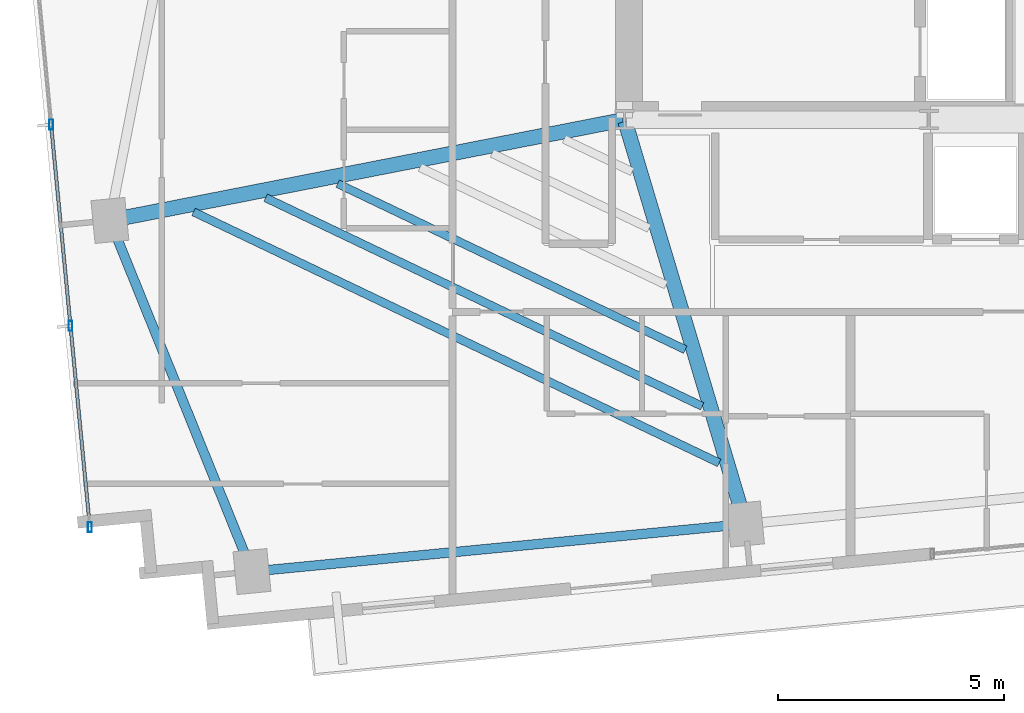
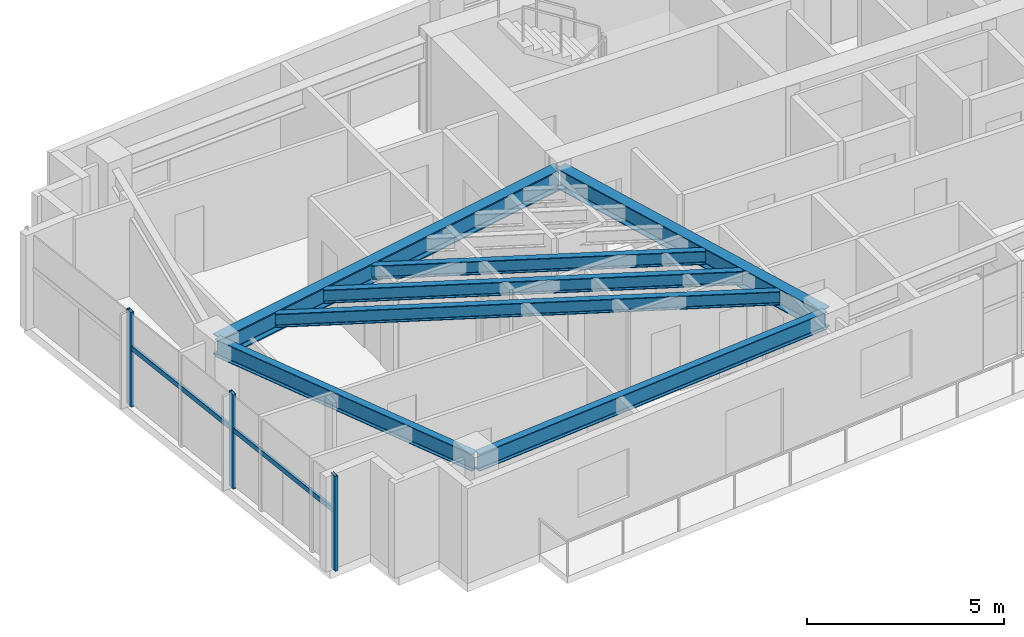
# One storey, part 2 of 18: 7 beams, 5 members, 1 element without a shape of its own.
"""IFC4 building model written with IfcOpenShell, lengths in metres."""

from ifc_helpers import new_model, si_unit, direction, frame, origin, origin_2d, place, context, subcontext, project, spatial, hollow_rectangle, i_section, extrude, source, transform, mapped, material, material_profile, profile_set, type_object, type_shapes, element, aggregate, save


model = new_model("IFC4")

# Units and contexts
model_context = context("Model", 3, precision=1e-05, world=origin(), true_north=direction((0.0, 1.0)))
body_context = subcontext(model_context, "Body", "Model", "MODEL_VIEW")
ifc_project = project(units=[si_unit("LENGTHUNIT", "METRE"), si_unit("AREAUNIT", "SQUARE_METRE"), si_unit("VOLUMEUNIT", "CUBIC_METRE"), si_unit("PLANEANGLEUNIT", "RADIAN"), si_unit("MASSUNIT", "GRAM", prefix="KILO")], contexts=[model_context])

# Site, building, storey
site_placement = place(None, origin())
site = spatial("IfcSite", under=ifc_project, at=site_placement, CompositionType="ELEMENT")
building_placement = place(site_placement, origin())
building = spatial("IfcBuilding", under=site, at=building_placement, Name="Astriad Promenade Condominiums", CompositionType="ELEMENT")
storey_placement = place(building_placement, frame((0.0, 0.0, 173.0)))
storey = spatial("IfcBuildingStorey", under=building, at=storey_placement, Name="L49", CompositionType="ELEMENT", Elevation=173.0)

# Beams
ifc_material_1 = material(Name="Steel ASTM A992 Grade 50", Category="steel")
ifc_material_profile_1 = material_profile(ifc_material_1, i_section(OverallWidth=0.210693359375, OverallDepth=0.53955078125, WebThickness=0.01171875, FlangeThickness=0.018798828125, FilletRadius=0.0166015625, at=origin_2d()), Name="W21X73")
ifc_profile_set_1 = profile_set([ifc_material_profile_1], Name="Steel ASTM A992 Grade 50")
beam_type_1 = type_object("IfcBeamType", Name="STEEL SPANDREL BEAM W21X73", PredefinedType="SPANDREL", material=ifc_profile_set_1)
shared_shape_1 = source(origin(), body_context, "Body", "SweptSolid", [
    extrude(i_section(OverallWidth=0.210693359375, OverallDepth=0.53955078125, WebThickness=0.01171875, FlangeThickness=0.018798828125, FilletRadius=0.0166015625, at=origin_2d()), origin(), (0.0, 0.0, 1.0), 10.8701171875),
])
beam_1_placement = place(storey_placement, frame((18.209228515625, 7.421630859375, 2.67041015625), z_axis=(0.995394986184, 0.09585834069, 0.0), x_axis=(-0.09585834069, 0.995394986184, 0.0)))
element("IfcBeam", 1, at=beam_1_placement, inside=storey, type_object=beam_type_1, Name="Perimeter Spandrel Beam SP-S1-L49", PredefinedType="SPANDREL", context=body_context, shape_type="MappedRepresentation", body=[
    mapped(shared_shape_1, transform((0.0, 0.0, 0.0), scale=1.0)),
])
shared_shape_2 = source(origin(), body_context, "Body", "SweptSolid", [
    extrude(i_section(OverallWidth=0.210693359375, OverallDepth=0.53955078125, WebThickness=0.01171875, FlangeThickness=0.018798828125, FilletRadius=0.0166015625, at=origin_2d()), origin(), (0.0, 0.0, 1.0), 8.28564453125),
])
type_shapes(beam_type_1, [shared_shape_1, shared_shape_2])
beam_2_placement = place(storey_placement, frame((15.046875, 15.1357421875, 2.67041015625), z_axis=(0.375070987134, -0.926996092014, 0.0), x_axis=(0.926996092014, 0.375070987134, 0.0)))
element("IfcBeam", 2, at=beam_2_placement, inside=storey, type_object=beam_type_1, Name="Perimeter Spandrel Beam SP-W1-L49", PredefinedType="SPANDREL", context=body_context, shape_type="MappedRepresentation", body=[
    mapped(shared_shape_2, transform((0.0, 0.0, 0.0), scale=1.0)),
])
ifc_material_profile_2 = material_profile(ifc_material_1, i_section(OverallWidth=0.327392578125, OverallDepth=0.640625, WebThickness=0.01904296875, FlangeThickness=0.033935546875, FilletRadius=0.017822265625, at=origin_2d()), Name="W24X176")
ifc_profile_set_2 = profile_set([ifc_material_profile_2], Name="Steel ASTM A992 Grade 50")
beam_type_2 = type_object("IfcBeamType", Name="STEEL FLOOR GIRDER W24X176", PredefinedType="BEAM", material=ifc_profile_set_2)
shared_shape_3 = source(origin(), body_context, "Body", "SweptSolid", [
    extrude(i_section(OverallWidth=0.327392578125, OverallDepth=0.640625, WebThickness=0.01904296875, FlangeThickness=0.033935546875, FilletRadius=0.017822265625, at=origin_2d()), origin(), (0.0, 0.0, 1.0), 11.504150390625),
])
type_shapes(beam_type_2, [shared_shape_3])
beam_3_placement = place(storey_placement, frame((15.071044921875, 15.1806640625, 2.61962890625), z_axis=(0.981346028441, 0.192249765833, 0.0), x_axis=(-0.192249765833, 0.981346028441, 0.0)))
element("IfcBeam", 3, at=beam_3_placement, inside=storey, type_object=beam_type_2, Name="Primary Floor Girder PG-WM-L49", PredefinedType="BEAM", context=body_context, shape_type="MappedRepresentation", body=[
    mapped(shared_shape_3, transform((0.0, 0.0, 0.0), scale=1.0)),
])
ifc_material_profile_3 = material_profile(ifc_material_1, i_section(OverallWidth=0.326416015625, OverallDepth=0.621826171875, WebThickness=0.015380859375, FlangeThickness=0.0244140625, FilletRadius=0.017822265625, at=origin_2d()), Name="W24X131")
ifc_profile_set_3 = profile_set([ifc_material_profile_3], Name="Steel ASTM A992 Grade 50")
beam_type_3 = type_object("IfcBeamType", Name="STEEL FLOOR GIRDER W24X131", PredefinedType="BEAM", material=ifc_profile_set_3)
shared_shape_4 = source(origin(), body_context, "Body", "SweptSolid", [
    extrude(i_section(OverallWidth=0.326416015625, OverallDepth=0.621826171875, WebThickness=0.015380859375, FlangeThickness=0.0244140625, FilletRadius=0.017822265625, at=origin_2d()), origin(), (0.0, 0.0, 1.0), 9.242919921875),
])
type_shapes(beam_type_3, [shared_shape_4])
beam_4_placement = place(storey_placement, frame((29.0576171875, 8.505615234375, 2.629150390625), z_axis=(-0.286269354745, 0.958149182818, 0.0), x_axis=(-0.958149182818, -0.286269354745, 0.0)))
element("IfcBeam", 4, at=beam_4_placement, inside=storey, type_object=beam_type_3, Name="Primary Floor Girder PG-W2-L49", PredefinedType="BEAM", context=body_context, shape_type="MappedRepresentation", body=[
    mapped(shared_shape_4, transform((0.0, 0.0, 0.0), scale=1.0)),
])
ifc_material_profile_4 = material_profile(ifc_material_1, i_section(OverallWidth=0.180908203125, OverallDepth=0.417236328125, WebThickness=0.010986328125, FlangeThickness=0.018310546875, FilletRadius=0.013916015625, at=origin_2d()), Name="W16X57")
ifc_profile_set_4 = profile_set([ifc_material_profile_4], Name="Steel ASTM A992 Grade 50")
beam_type_4 = type_object("IfcBeamType", Name="STEEL FLOOR JOIST W16X57", PredefinedType="JOIST", material=ifc_profile_set_4)
shared_shape_5 = source(origin(), body_context, "Body", "SweptSolid", [
    extrude(i_section(OverallWidth=0.180908203125, OverallDepth=0.417236328125, WebThickness=0.010986328125, FlangeThickness=0.018310546875, FilletRadius=0.013916015625, at=origin_2d()), origin(), (0.0, 0.0, 1.0), 12.864013671875),
])
beam_5_placement = place(storey_placement, frame((16.8798828125, 15.362060546875, 2.731201171875), z_axis=(0.902332932985, -0.431039763886, 0.0), x_axis=(0.431039763886, 0.902332932985, 0.0)))
element("IfcBeam", 5, at=beam_5_placement, inside=storey, type_object=beam_type_4, Name="Secondary Composite Floor Joist JW1-1-L49", PredefinedType="JOIST", context=body_context, shape_type="MappedRepresentation", body=[
    mapped(shared_shape_5, transform((0.0, 0.0, 0.0), scale=1.0)),
])
shared_shape_6 = source(origin(), body_context, "Body", "SweptSolid", [
    extrude(i_section(OverallWidth=0.180908203125, OverallDepth=0.417236328125, WebThickness=0.010986328125, FlangeThickness=0.018310546875, FilletRadius=0.013916015625, at=origin_2d()), origin(), (0.0, 0.0, 1.0), 10.686279296875),
])
beam_6_placement = place(storey_placement, frame((18.471435546875, 15.673828125, 2.731201171875), z_axis=(0.902342124644, -0.431020521661, 0.0), x_axis=(0.431020521661, 0.902342124644, 0.0)))
element("IfcBeam", 6, at=beam_6_placement, inside=storey, type_object=beam_type_4, Name="Secondary Composite Floor Joist JW1-2-L49", PredefinedType="JOIST", context=body_context, shape_type="MappedRepresentation", body=[
    mapped(shared_shape_6, transform((0.0, 0.0, 0.0), scale=1.0)),
])
shared_shape_7 = source(origin(), body_context, "Body", "SweptSolid", [
    extrude(i_section(OverallWidth=0.180908203125, OverallDepth=0.417236328125, WebThickness=0.010986328125, FlangeThickness=0.018310546875, FilletRadius=0.013916015625, at=origin_2d()), origin(), (0.0, 0.0, 1.0), 8.508056640625),
])
type_shapes(beam_type_4, [shared_shape_5, shared_shape_6, shared_shape_7])
beam_7_placement = place(storey_placement, frame((20.06298828125, 15.985595703125, 2.731201171875), z_axis=(0.902339530667, -0.431025952113, 0.0), x_axis=(0.431025952113, 0.902339530667, 0.0)))
element("IfcBeam", 7, at=beam_7_placement, inside=storey, type_object=beam_type_4, Name="Secondary Composite Floor Joist JW1-3-L49", PredefinedType="JOIST", context=body_context, shape_type="MappedRepresentation", body=[
    mapped(shared_shape_7, transform((0.0, 0.0, 0.0), scale=1.0)),
])

# Curtain wall, members
ifc_material_2 = material(Name="Anodised aluminium Black Dark Glass Unitised", Category="aluminium")
curtain_wall_type = type_object("IfcCurtainWallType", Name="CW-B34-DARK", PredefinedType="USERDEFINED", material=ifc_material_2)
curtain_wall_placement = place(storey_placement, origin())
curtain_wall = element("IfcCurtainWall", 8, at=curtain_wall_placement, inside=storey, type_object=curtain_wall_type, Name="CW-L49-W", ObjectType="UNITISED_CURTAIN_WALL", PredefinedType="USERDEFINED")
ifc_material_3 = material(Name="Anodised aluminium 6063-T6 Black", Category="aluminium")
ifc_material_profile_5 = material_profile(ifc_material_3, hollow_rectangle(XDim=0.0849609375, YDim=0.219970703125, WallThickness=0.0048828125, at=origin_2d()), Name="ALU-MUL-85X220")
ifc_profile_set_5 = profile_set([ifc_material_profile_5], Name="Anodised aluminium 6063-T6 Black")
member_type_1 = type_object("IfcMemberType", Name="MUL-ALU-MUL-85X220", PredefinedType="MULLION", material=ifc_profile_set_5)
shared_shape_8 = source(origin(), body_context, "Body", "SweptSolid", [
    extrude(hollow_rectangle(XDim=0.0849609375, YDim=0.219970703125, WallThickness=0.0048828125, at=origin_2d()), origin(), (0.0, 0.0, 1.0), 2.93994140625),
])
type_shapes(member_type_1, [shared_shape_8])
member_1_placement = place(storey_placement, frame((14.589111328125, 8.3994140625, 0.0), z_axis=(0.0, 0.0, 1.0), x_axis=(1.0, 0.0, 0.0)))
member_1 = element("IfcMember", 9, at=member_1_placement, type_object=member_type_1, Name="CW-L49-W-MUL-00", PredefinedType="MULLION", context=body_context, shape_type="MappedRepresentation", body=[
    mapped(shared_shape_8, transform((0.0, 0.0, 0.0), scale=1.0)),
])
member_2_placement = place(storey_placement, frame((14.160888671875, 12.845458984375, 0.0), z_axis=(0.0, 0.0, 1.0), x_axis=(1.0, 0.0, 0.0)))
member_2 = element("IfcMember", 10, at=member_2_placement, type_object=member_type_1, Name="CW-L49-W-MUL-01", PredefinedType="MULLION", context=body_context, shape_type="MappedRepresentation", body=[
    mapped(shared_shape_8, transform((0.0, 0.0, 0.0), scale=1.0)),
])
member_3_placement = place(storey_placement, frame((13.732666015625, 17.29150390625, 0.0), z_axis=(0.0, 0.0, 1.0), x_axis=(1.0, 0.0, 0.0)))
member_3 = element("IfcMember", 11, at=member_3_placement, type_object=member_type_1, Name="CW-L49-W-MUL-02", PredefinedType="MULLION", context=body_context, shape_type="MappedRepresentation", body=[
    mapped(shared_shape_8, transform((0.0, 0.0, 0.0), scale=1.0)),
])
ifc_material_profile_6 = material_profile(ifc_material_3, hollow_rectangle(XDim=0.074951171875, YDim=0.14990234375, WallThickness=0.004150390625, at=origin_2d()), Name="ALU-TRN-75X150")
ifc_profile_set_6 = profile_set([ifc_material_profile_6], Name="Anodised aluminium 6063-T6 Black")
member_type_2 = type_object("IfcMemberType", Name="TRN-ALU-TRN-75X150", PredefinedType="USERDEFINED", material=ifc_profile_set_6)
shared_shape_9 = source(origin(), body_context, "Body", "SweptSolid", [
    extrude(hollow_rectangle(XDim=0.074951171875, YDim=0.14990234375, WallThickness=0.004150390625, at=origin_2d()), origin(), (0.0, 0.0, 1.0), 4.466552734375),
])
type_shapes(member_type_2, [shared_shape_9])
member_4_placement = place(storey_placement, frame((14.589111328125, 8.3994140625, 1.82275390625), z_axis=(-0.095871755514, 0.995393694221, 0.0), x_axis=(-0.995393694221, -0.095871755514, 0.0)))
member_4 = element("IfcMember", 12, at=member_4_placement, type_object=member_type_2, Name="CW-L49-W-TRN-00-0", ObjectType="TRANSOM", PredefinedType="USERDEFINED", context=body_context, shape_type="MappedRepresentation", body=[
    mapped(shared_shape_9, transform((0.0, 0.0, 0.0), scale=1.0)),
])
member_5_placement = place(storey_placement, frame((14.160888671875, 12.845458984375, 1.82275390625), z_axis=(-0.095871755514, 0.995393694221, 0.0), x_axis=(-0.995393694221, -0.095871755514, 0.0)))
member_5 = element("IfcMember", 13, at=member_5_placement, type_object=member_type_2, Name="CW-L49-W-TRN-01-0", ObjectType="TRANSOM", PredefinedType="USERDEFINED", context=body_context, shape_type="MappedRepresentation", body=[
    mapped(shared_shape_9, transform((0.0, 0.0, 0.0), scale=1.0)),
])
aggregate(curtain_wall, [member_1, member_2, member_3, member_4, member_5])

save(model, "model.ifc")
